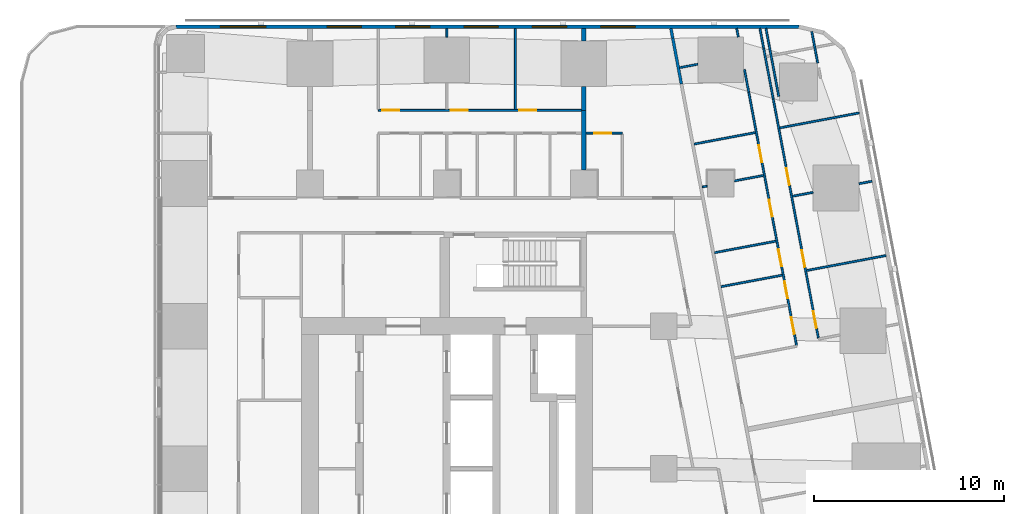
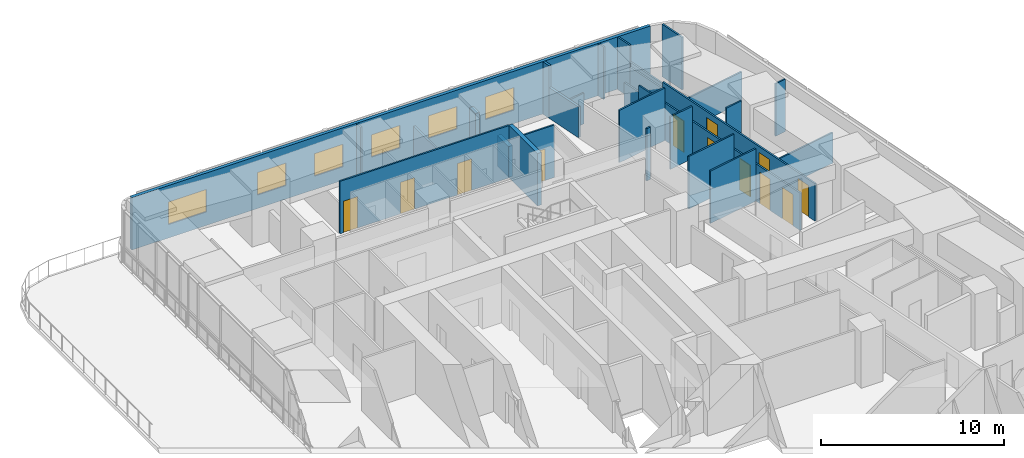
# One storey, part 13 of 17: 28 walls, 12 doors, 6 windows, 18 openings.
"""IFC4 building model written with IfcOpenShell, lengths in metres."""

from ifc_helpers import new_model, si_unit, direction, frame, frame_2d, origin, place, context, subcontext, project, spatial, rectangle, extrude, material, layer, layer_set, type_object, element, fill, save


model = new_model("IFC4")

# Units and contexts
model_context = context("Model", 3, precision=1e-05, world=origin(), true_north=direction((0.0, 1.0)))
body_context = subcontext(model_context, "Body", "Model", "MODEL_VIEW")
ifc_project = project(units=[si_unit("LENGTHUNIT", "METRE"), si_unit("AREAUNIT", "SQUARE_METRE"), si_unit("VOLUMEUNIT", "CUBIC_METRE"), si_unit("PLANEANGLEUNIT", "RADIAN"), si_unit("MASSUNIT", "GRAM", prefix="KILO")], contexts=[model_context])

# Site, building, storey
site_placement = place(None, origin())
site = spatial("IfcSite", under=ifc_project, at=site_placement, CompositionType="ELEMENT")
building_placement = place(site_placement, origin())
building = spatial("IfcBuilding", under=site, at=building_placement, Name="Sheger Commons Tower", CompositionType="ELEMENT")
storey_placement = place(building_placement, frame((0.0, 0.0, 193.699951171875)))
storey = spatial("IfcBuildingStorey", under=building, at=storey_placement, Name="L49", CompositionType="ELEMENT", Elevation=193.699951171875)

# Walls
ifc_material_1 = material(Name="Hollow concrete block masonry, skimmed both sides", Category="masonry")
ifc_layer_1 = layer(ifc_material_1, 0.14990234375)
ifc_layer_set_1 = layer_set([ifc_layer_1], Name="CORRIDOR WALL 150")
wall_type_1 = type_object("IfcWallType", Name="CORRIDOR WALL 150", PredefinedType="SOLIDWALL", material=ifc_layer_set_1)
wall_1_placement = place(storey_placement, frame((33.382080078125, 45.64990234375, 0.0), z_axis=(0.0, 0.0, 1.0), x_axis=(0.185657456326, -0.982614527122, 0.0)))
element("IfcWall", 1, at=wall_1_placement, inside=storey, type_object=wall_type_1, Name="Corridor wall L49", PredefinedType="SOLIDWALL", context=body_context, shape_type="SweptSolid", body=[
    extrude(rectangle(XDim=0.516845703125, YDim=0.14990234375, at=frame_2d((0.25830078125, 0.0))), origin(), (0.0, 0.0, 1.0), 3.5),
])
wall_2_placement = place(storey_placement, frame((33.47802734375, 45.14208984375, 0.0), z_axis=(0.0, 0.0, 1.0), x_axis=(0.185393362436, -0.982664388876, 0.0)))
element("IfcWall", 2, at=wall_2_placement, inside=storey, type_object=wall_type_1, Name="Corridor wall L49", PredefinedType="SOLIDWALL", context=body_context, shape_type="SweptSolid", body=[
    extrude(rectangle(XDim=2.45458984375, YDim=0.14990234375, at=frame_2d((1.227294921875, 0.0))), origin(), (0.0, 0.0, 1.0), 2.050048828125),
])
ifc_material_2 = material(Name="Dense concrete block masonry, plastered both sides (separating wall between flats)", Category="masonry")
ifc_layer_2 = layer(ifc_material_2, 0.25)
ifc_layer_set_2 = layer_set([ifc_layer_2], Name="DEMISING WALL 250")
wall_type_2 = type_object("IfcWallType", Name="DEMISING WALL 250", PredefinedType="SOLIDWALL", material=ifc_layer_set_2)
wall_3_placement = place(storey_placement, frame((28.800048828125, 41.35009765625, 0.0), z_axis=(0.0, 0.0, 1.0), x_axis=(0.0, 1.0, 0.0)))
element("IfcWall", 3, at=wall_3_placement, inside=storey, type_object=wall_type_2, Name="Demising wall L49", PredefinedType="SOLIDWALL", context=body_context, shape_type="SweptSolid", body=[
    extrude(rectangle(XDim=1.2490234375, YDim=0.25, at=frame_2d((0.62451171875, 0.0))), origin(), (0.0, 0.0, 1.0), 2.050048828125),
])
wall_4_placement = place(storey_placement, frame((28.800048828125, 45.0009765625, 0.0), z_axis=(0.0, 0.0, 1.0), x_axis=(0.0, 1.0, 0.0)))
element("IfcWall", 4, at=wall_4_placement, inside=storey, type_object=wall_type_2, Name="Demising wall L49", PredefinedType="SOLIDWALL", context=body_context, shape_type="SweptSolid", body=[
    extrude(rectangle(XDim=0.64892578125, YDim=0.25, at=frame_2d((0.324462890625, 0.0))), origin(), (0.0, 0.0, 1.0), 2.050048828125),
])
wall_5_placement = place(storey_placement, frame((28.800048828125, 38.200927734375, 0.0), z_axis=(0.0, 0.0, 1.0), x_axis=(0.0, 1.0, 0.0)))
element("IfcWall", 5, at=wall_5_placement, inside=storey, type_object=wall_type_2, Name="Demising wall L49", PredefinedType="SOLIDWALL", context=body_context, shape_type="SweptSolid", body=[
    extrude(rectangle(XDim=3.149169921875, YDim=0.25, at=frame_2d((1.57470703125, 0.0))), origin(), (0.0, 0.0, 1.0), 3.5),
])

# Wall, openings, windows
ifc_material_3 = material(Name="Rendered concrete block masonry, dark grey", Category="masonry")
ifc_layer_3 = layer(ifc_material_3, 0.199951171875)
ifc_layer_set_3 = layer_set([ifc_layer_3], Name="FACADE WALL 200")
wall_type_3 = type_object("IfcWallType", Name="FACADE WALL 200", PredefinedType="SOLIDWALL", material=ifc_layer_set_3)
wall_6_placement = place(storey_placement, frame((40.10595703125, 45.75, 0.0), z_axis=(0.0, 0.0, 1.0), x_axis=(-1.0, 0.0, 0.0)))
wall_6 = element("IfcWall", 6, at=wall_6_placement, inside=storey, type_object=wall_type_3, Name="Facade wall L49", PredefinedType="SOLIDWALL", context=body_context, shape_type="SweptSolid", body=[
    extrude(rectangle(XDim=32.742919921875, YDim=0.199951171875, at=frame_2d((16.37158203125, 0.0))), origin(), (0.0, 0.0, 1.0), 3.5),
])
opening_1_placement = place(wall_6_placement, frame((8.60595703125, 0.0, 0.89990234375)))
opening_1 = element("IfcOpeningElement", 7, at=opening_1_placement, cuts=wall_6, Name="Opening W2", PredefinedType="OPENING", context=body_context, shape_type="SweptSolid", body=[
    extrude(rectangle(XDim=1.800048828125, YDim=1.5, at=frame_2d((0.89990234375, 0.75))), frame((0.0, 0.10986328125, 0.0), z_axis=(0.0, -1.0, 0.0), x_axis=(1.0, 0.0, 0.0)), (0.0, 0.0, 1.0), 0.219970703125),
])
opening_2_placement = place(wall_6_placement, frame((12.2060546875, 0.0, 0.89990234375)))
opening_2 = element("IfcOpeningElement", 8, at=opening_2_placement, cuts=wall_6, Name="Opening W2", PredefinedType="OPENING", context=body_context, shape_type="SweptSolid", body=[
    extrude(rectangle(XDim=1.800048828125, YDim=1.5, at=frame_2d((0.89990234375, 0.75))), frame((0.0, 0.10986328125, 0.0), z_axis=(0.0, -1.0, 0.0), x_axis=(1.0, 0.0, 0.0)), (0.0, 0.0, 1.0), 0.219970703125),
])
opening_3_placement = place(wall_6_placement, frame((15.805908203125, 0.0, 0.89990234375)))
opening_3 = element("IfcOpeningElement", 9, at=opening_3_placement, cuts=wall_6, Name="Opening W2", PredefinedType="OPENING", context=body_context, shape_type="SweptSolid", body=[
    extrude(rectangle(XDim=1.800048828125, YDim=1.5, at=frame_2d((0.89990234375, 0.75))), frame((0.0, 0.10986328125, 0.0), z_axis=(0.0, -1.0, 0.0), x_axis=(1.0, 0.0, 0.0)), (0.0, 0.0, 1.0), 0.219970703125),
])
opening_4_placement = place(wall_6_placement, frame((19.406005859375, 0.0, 0.89990234375)))
opening_4 = element("IfcOpeningElement", 10, at=opening_4_placement, cuts=wall_6, Name="Opening W2", PredefinedType="OPENING", context=body_context, shape_type="SweptSolid", body=[
    extrude(rectangle(XDim=1.800048828125, YDim=1.5, at=frame_2d((0.89990234375, 0.75))), frame((0.0, 0.10986328125, 0.0), z_axis=(0.0, -1.0, 0.0), x_axis=(1.0, 0.0, 0.0)), (0.0, 0.0, 1.0), 0.219970703125),
])
opening_5_placement = place(wall_6_placement, frame((23.006103515625, 0.0, 0.89990234375)))
opening_5 = element("IfcOpeningElement", 11, at=opening_5_placement, cuts=wall_6, Name="Opening W2", PredefinedType="OPENING", context=body_context, shape_type="SweptSolid", body=[
    extrude(rectangle(XDim=1.800048828125, YDim=1.5, at=frame_2d((0.89990234375, 0.75))), frame((0.0, 0.10986328125, 0.0), z_axis=(0.0, -1.0, 0.0), x_axis=(1.0, 0.0, 0.0)), (0.0, 0.0, 1.0), 0.219970703125),
])
opening_6_placement = place(wall_6_placement, frame((28.02490234375, 0.0, 0.89990234375)))
opening_6 = element("IfcOpeningElement", 12, at=opening_6_placement, cuts=wall_6, Name="Opening W1", PredefinedType="OPENING", context=body_context, shape_type="SweptSolid", body=[
    extrude(rectangle(XDim=2.39990234375, YDim=1.5, at=frame_2d((1.199951171875, 0.75))), frame((0.0, 0.10986328125, 0.0), z_axis=(0.0, -1.0, 0.0), x_axis=(1.0, 0.0, 0.0)), (0.0, 0.0, 1.0), 0.219970703125),
])
ifc_material_4 = material(Name="Black aluminium frame, dark tinted double glazing", Category="aluminium")
window_type_1 = type_object("IfcWindowType", Name="WINDOW W1 2400x1500", PartitioningType="SINGLE_PANEL", PredefinedType="WINDOW", material=ifc_material_4)
window_1_placement = place(opening_6_placement, origin())
window_1 = element("IfcWindow", 13, at=window_1_placement, inside=storey, type_object=window_type_1, Name="Window W1 2400X1500", OverallHeight=1.5, OverallWidth=2.39990234375, PartitioningType="SINGLE_PANEL", PredefinedType="WINDOW", context=body_context, shape_type="SweptSolid", body=[
    extrude(rectangle(XDim=2.39990234375, YDim=1.5, at=frame_2d((1.199951171875, 0.75))), frame((0.0, 0.030029296875, 0.0), z_axis=(0.0, -1.0, 0.0), x_axis=(1.0, 0.0, 0.0)), (0.0, 0.0, 1.0), 0.06005859375),
])
fill(opening_6, window_1)
ifc_material_5 = material(Name="Black aluminium frame, dark tinted double glazing", Category="aluminium")
window_type_2 = type_object("IfcWindowType", Name="WINDOW W2 1800x1500", PartitioningType="SINGLE_PANEL", PredefinedType="WINDOW", material=ifc_material_5)
window_2_placement = place(opening_1_placement, origin())
window_2 = element("IfcWindow", 14, at=window_2_placement, inside=storey, type_object=window_type_2, Name="Window W2 1800X1500", OverallHeight=1.5, OverallWidth=1.800048828125, PartitioningType="SINGLE_PANEL", PredefinedType="WINDOW", context=body_context, shape_type="SweptSolid", body=[
    extrude(rectangle(XDim=1.800048828125, YDim=1.5, at=frame_2d((0.89990234375, 0.75))), frame((0.0, 0.030029296875, 0.0), z_axis=(0.0, -1.0, 0.0), x_axis=(1.0, 0.0, 0.0)), (0.0, 0.0, 1.0), 0.06005859375),
])
fill(opening_1, window_2)
window_3_placement = place(opening_2_placement, origin())
window_3 = element("IfcWindow", 15, at=window_3_placement, inside=storey, type_object=window_type_2, Name="Window W2 1800X1500", OverallHeight=1.5, OverallWidth=1.800048828125, PartitioningType="SINGLE_PANEL", PredefinedType="WINDOW", context=body_context, shape_type="SweptSolid", body=[
    extrude(rectangle(XDim=1.800048828125, YDim=1.5, at=frame_2d((0.89990234375, 0.75))), frame((0.0, 0.030029296875, 0.0), z_axis=(0.0, -1.0, 0.0), x_axis=(1.0, 0.0, 0.0)), (0.0, 0.0, 1.0), 0.06005859375),
])
fill(opening_2, window_3)
window_4_placement = place(opening_3_placement, origin())
window_4 = element("IfcWindow", 16, at=window_4_placement, inside=storey, type_object=window_type_2, Name="Window W2 1800X1500", OverallHeight=1.5, OverallWidth=1.800048828125, PartitioningType="SINGLE_PANEL", PredefinedType="WINDOW", context=body_context, shape_type="SweptSolid", body=[
    extrude(rectangle(XDim=1.800048828125, YDim=1.5, at=frame_2d((0.89990234375, 0.75))), frame((0.0, 0.030029296875, 0.0), z_axis=(0.0, -1.0, 0.0), x_axis=(1.0, 0.0, 0.0)), (0.0, 0.0, 1.0), 0.06005859375),
])
fill(opening_3, window_4)
window_5_placement = place(opening_4_placement, origin())
window_5 = element("IfcWindow", 17, at=window_5_placement, inside=storey, type_object=window_type_2, Name="Window W2 1800X1500", OverallHeight=1.5, OverallWidth=1.800048828125, PartitioningType="SINGLE_PANEL", PredefinedType="WINDOW", context=body_context, shape_type="SweptSolid", body=[
    extrude(rectangle(XDim=1.800048828125, YDim=1.5, at=frame_2d((0.89990234375, 0.75))), frame((0.0, 0.030029296875, 0.0), z_axis=(0.0, -1.0, 0.0), x_axis=(1.0, 0.0, 0.0)), (0.0, 0.0, 1.0), 0.06005859375),
])
fill(opening_4, window_5)
window_6_placement = place(opening_5_placement, origin())
window_6 = element("IfcWindow", 18, at=window_6_placement, inside=storey, type_object=window_type_2, Name="Window W2 1800X1500", OverallHeight=1.5, OverallWidth=1.800048828125, PartitioningType="SINGLE_PANEL", PredefinedType="WINDOW", context=body_context, shape_type="SweptSolid", body=[
    extrude(rectangle(XDim=1.800048828125, YDim=1.5, at=frame_2d((0.89990234375, 0.75))), frame((0.0, 0.030029296875, 0.0), z_axis=(0.0, -1.0, 0.0), x_axis=(1.0, 0.0, 0.0)), (0.0, 0.0, 1.0), 0.06005859375),
])
fill(opening_5, window_6)

# Walls
ifc_material_6 = material(Name="Gypsum board on steel studs", Category="steel")
ifc_layer_4 = layer(ifc_material_6, 0.10009765625)
ifc_layer_set_4 = layer_set([ifc_layer_4], Name="PARTITION 100")
wall_type_4 = type_object("IfcWallType", Name="PARTITION 100", PredefinedType="PARTITIONING", material=ifc_layer_set_4)
wall_7_placement = place(storey_placement, frame((39.053955078125, 42.0849609375, 0.0), z_axis=(0.0, 0.0, 1.0), x_axis=(-0.185791584218, 0.982589175207, 0.0)))
element("IfcWall", 19, at=wall_7_placement, inside=storey, type_object=wall_type_4, Name="Partition L49", PredefinedType="PARTITIONING", context=body_context, shape_type="SweptSolid", body=[
    extrude(rectangle(XDim=3.628173828125, YDim=0.10009765625, at=frame_2d((1.81396484375, 0.0))), origin(), (0.0, 0.0, 1.0), 2.050048828125),
])
wall_8_placement = place(storey_placement, frame((40.7890625, 45.487060546875, 0.0), z_axis=(0.0, 0.0, 1.0), x_axis=(0.185572395193, -0.982630594955, 0.0)))
element("IfcWall", 20, at=wall_8_placement, inside=storey, type_object=wall_type_4, Name="Partition L49", PredefinedType="PARTITIONING", context=body_context, shape_type="SweptSolid", body=[
    extrude(rectangle(XDim=1.676025390625, YDim=0.10009765625, at=frame_2d((0.837890625, 0.0))), origin(), (0.0, 0.0, 1.0), 3.5),
])
wall_9_placement = place(storey_placement, frame((38.06298828125, 45.64990234375, 0.0), z_axis=(0.0, 0.0, 1.0), x_axis=(0.185677287841, -0.982610779902, 0.0)))
element("IfcWall", 21, at=wall_9_placement, inside=storey, type_object=wall_type_4, Name="Partition L49", PredefinedType="PARTITIONING", context=body_context, shape_type="SweptSolid", body=[
    extrude(rectangle(XDim=1.0400390625, YDim=0.10009765625, at=frame_2d((0.52001953125, 0.0))), origin(), (0.0, 0.0, 1.0), 3.5),
])
wall_10_placement = place(storey_placement, frame((38.256103515625, 44.6279296875, 0.0), z_axis=(0.0, 0.0, 1.0), x_axis=(0.185700639943, -0.982606366927, 0.0)))
element("IfcWall", 22, at=wall_10_placement, inside=storey, type_object=wall_type_4, Name="Partition L49", PredefinedType="PARTITIONING", context=body_context, shape_type="SweptSolid", body=[
    extrude(rectangle(XDim=2.734619140625, YDim=0.10009765625, at=frame_2d((1.3671875, 0.0))), origin(), (0.0, 0.0, 1.0), 2.050048828125),
])

# Wall, openings, doors
wall_11_placement = place(storey_placement, frame((38.763916015625, 41.94091796875, 0.0), z_axis=(0.0, 0.0, 1.0), x_axis=(0.185512176227, -0.982641965556, 0.0)))
wall_11 = element("IfcWall", 23, at=wall_11_placement, inside=storey, type_object=wall_type_4, Name="Partition L49", PredefinedType="PARTITIONING", context=body_context, shape_type="SweptSolid", body=[
    extrude(rectangle(XDim=12.791748046875, YDim=0.10009765625, at=frame_2d((6.39599609375, 0.0))), origin(), (0.0, 0.0, 1.0), 2.5),
])
opening_7_placement = place(wall_11_placement, frame((11.35009765625, 0.0, 0.0)))
opening_7 = element("IfcOpeningElement", 24, at=opening_7_placement, cuts=wall_11, Name="Opening D2", PredefinedType="OPENING", context=body_context, shape_type="SweptSolid", body=[
    extrude(rectangle(XDim=0.89990234375, YDim=2.10009765625, at=frame_2d((0.449951171875, 1.050048828125))), frame((0.0, 0.06005859375, 0.0), z_axis=(0.0, -1.0, 0.0), x_axis=(1.0, 0.0, 0.0)), (0.0, 0.0, 1.0), 0.1201171875),
])
opening_8_placement = place(wall_11_placement, frame((8.0849609375, 0.0, 0.0)))
opening_8 = element("IfcOpeningElement", 25, at=opening_8_placement, cuts=wall_11, Name="Opening D2", PredefinedType="OPENING", context=body_context, shape_type="SweptSolid", body=[
    extrude(rectangle(XDim=0.89990234375, YDim=2.10009765625, at=frame_2d((0.449951171875, 1.050048828125))), frame((0.0, 0.06005859375, 0.0), z_axis=(0.0, -1.0, 0.0), x_axis=(1.0, 0.0, 0.0)), (0.0, 0.0, 1.0), 0.1201171875),
])
opening_9_placement = place(wall_11_placement, frame((3.699951171875, 0.0, 0.0)))
opening_9 = element("IfcOpeningElement", 26, at=opening_9_placement, cuts=wall_11, Name="Opening D2", PredefinedType="OPENING", context=body_context, shape_type="SweptSolid", body=[
    extrude(rectangle(XDim=0.89990234375, YDim=2.10009765625, at=frame_2d((0.449951171875, 1.050048828125))), frame((0.0, 0.06005859375, 0.0), z_axis=(0.0, -1.0, 0.0), x_axis=(1.0, 0.0, 0.0)), (0.0, 0.0, 1.0), 0.1201171875),
])
ifc_material_7 = material(Name="Timber door set", Category="wood")
door_type = type_object("IfcDoorType", Name="INTERNAL DOOR 900x2100", OperationType="NOTDEFINED", PredefinedType="DOOR", material=ifc_material_7)
door_1_placement = place(opening_7_placement, origin())
door_1 = element("IfcDoor", 27, at=door_1_placement, inside=storey, type_object=door_type, Name="Main bedroom door", OperationType="SINGLE_SWING_RIGHT", OverallHeight=2.10009765625, OverallWidth=0.89990234375, PredefinedType="DOOR", context=body_context, shape_type="SweptSolid", body=[
    extrude(rectangle(XDim=0.89990234375, YDim=2.10009765625, at=frame_2d((0.449951171875, 1.050048828125))), frame((0.0, 0.02490234375, 0.0), z_axis=(0.0, -1.0, 0.0), x_axis=(1.0, 0.0, 0.0)), (0.0, 0.0, 1.0), 0.050048828125),
])
fill(opening_7, door_1)
door_2_placement = place(opening_8_placement, origin())
door_2 = element("IfcDoor", 28, at=door_2_placement, inside=storey, type_object=door_type, Name="Bedroom 2 door", OperationType="SINGLE_SWING_RIGHT", OverallHeight=2.10009765625, OverallWidth=0.89990234375, PredefinedType="DOOR", context=body_context, shape_type="SweptSolid", body=[
    extrude(rectangle(XDim=0.89990234375, YDim=2.10009765625, at=frame_2d((0.449951171875, 1.050048828125))), frame((0.0, 0.02490234375, 0.0), z_axis=(0.0, -1.0, 0.0), x_axis=(1.0, 0.0, 0.0)), (0.0, 0.0, 1.0), 0.050048828125),
])
fill(opening_8, door_2)
door_3_placement = place(opening_9_placement, origin())
door_3 = element("IfcDoor", 29, at=door_3_placement, inside=storey, type_object=door_type, Name="Bedroom 3 door", OperationType="SINGLE_SWING_RIGHT", OverallHeight=2.10009765625, OverallWidth=0.89990234375, PredefinedType="DOOR", context=body_context, shape_type="SweptSolid", body=[
    extrude(rectangle(XDim=0.89990234375, YDim=2.10009765625, at=frame_2d((0.449951171875, 1.050048828125))), frame((0.0, 0.02490234375, 0.0), z_axis=(0.0, -1.0, 0.0), x_axis=(1.0, 0.0, 0.0)), (0.0, 0.0, 1.0), 0.050048828125),
])
fill(opening_9, door_3)

# Walls
wall_12_placement = place(storey_placement, frame((36.842041015625, 45.64990234375, 0.0), z_axis=(0.0, 0.0, 1.0), x_axis=(0.185407859198, -0.982661653748, 0.0)))
element("IfcWall", 30, at=wall_12_placement, inside=storey, type_object=wall_type_4, Name="Partition L49", PredefinedType="PARTITIONING", context=body_context, shape_type="SweptSolid", body=[
    extrude(rectangle(XDim=0.44775390625, YDim=0.10009765625, at=frame_2d((0.223876953125, 0.0))), origin(), (0.0, 0.0, 1.0), 3.5),
])
wall_13_placement = place(storey_placement, frame((37.2490234375, 43.492919921875, 0.0), z_axis=(0.0, 0.0, 1.0), x_axis=(0.185817643817, -0.982584247404, 0.0)))
element("IfcWall", 31, at=wall_13_placement, inside=storey, type_object=wall_type_4, Name="Partition L49", PredefinedType="PARTITIONING", context=body_context, shape_type="SweptSolid", body=[
    extrude(rectangle(XDim=1.204833984375, YDim=0.10009765625, at=frame_2d((0.6025390625, 0.0))), origin(), (0.0, 0.0, 1.0), 2.050048828125),
])

# Wall, openings, doors
wall_14_placement = place(storey_placement, frame((37.472900390625, 42.30908203125, 0.0), z_axis=(0.0, 0.0, 1.0), x_axis=(0.185570636839, -0.982630927024, 0.0)))
wall_14 = element("IfcWall", 32, at=wall_14_placement, inside=storey, type_object=wall_type_4, Name="Partition L49", PredefinedType="PARTITIONING", context=body_context, shape_type="SweptSolid", body=[
    extrude(rectangle(XDim=13.553466796875, YDim=0.10009765625, at=frame_2d((6.77685546875, 0.0))), origin(), (0.0, 0.0, 1.0), 2.5),
])
opening_10_placement = place(wall_14_placement, frame((12.049072265625, 0.0, 0.0)))
opening_10 = element("IfcOpeningElement", 33, at=opening_10_placement, cuts=wall_14, Name="Opening D2", PredefinedType="OPENING", context=body_context, shape_type="SweptSolid", body=[
    extrude(rectangle(XDim=0.89990234375, YDim=2.10009765625, at=frame_2d((0.449951171875, 1.050048828125))), frame((0.0, 0.06005859375, 0.0), z_axis=(0.0, -1.0, 0.0), x_axis=(1.0, 0.0, 0.0)), (0.0, 0.0, 1.0), 0.1201171875),
])
opening_11_placement = place(wall_14_placement, frame((8.427001953125, 0.0, 0.0)))
opening_11 = element("IfcOpeningElement", 34, at=opening_11_placement, cuts=wall_14, Name="Opening D2", PredefinedType="OPENING", context=body_context, shape_type="SweptSolid", body=[
    extrude(rectangle(XDim=0.89990234375, YDim=2.10009765625, at=frame_2d((0.449951171875, 1.050048828125))), frame((0.0, 0.06005859375, 0.0), z_axis=(0.0, -1.0, 0.0), x_axis=(1.0, 0.0, 0.0)), (0.0, 0.0, 1.0), 0.1201171875),
])
opening_12_placement = place(wall_14_placement, frame((2.85302734375, 0.0, 0.0)))
opening_12 = element("IfcOpeningElement", 35, at=opening_12_placement, cuts=wall_14, Name="Opening D2", PredefinedType="OPENING", context=body_context, shape_type="SweptSolid", body=[
    extrude(rectangle(XDim=0.89990234375, YDim=2.10009765625, at=frame_2d((0.449951171875, 1.050048828125))), frame((0.0, 0.06005859375, 0.0), z_axis=(0.0, -1.0, 0.0), x_axis=(1.0, 0.0, 0.0)), (0.0, 0.0, 1.0), 0.1201171875),
])
opening_13_placement = place(wall_14_placement, frame((10.139892578125, 0.0, 0.0)))
opening_13 = element("IfcOpeningElement", 36, at=opening_13_placement, cuts=wall_14, Name="Opening D2", PredefinedType="OPENING", context=body_context, shape_type="SweptSolid", body=[
    extrude(rectangle(XDim=0.89990234375, YDim=2.10009765625, at=frame_2d((0.449951171875, 1.050048828125))), frame((0.0, 0.06005859375, 0.0), z_axis=(0.0, -1.0, 0.0), x_axis=(1.0, 0.0, 0.0)), (0.0, 0.0, 1.0), 0.1201171875),
])
opening_14_placement = place(wall_14_placement, frame((5.759033203125, 0.0, 0.0)))
opening_14 = element("IfcOpeningElement", 37, at=opening_14_placement, cuts=wall_14, Name="Opening D2", PredefinedType="OPENING", context=body_context, shape_type="SweptSolid", body=[
    extrude(rectangle(XDim=0.89990234375, YDim=2.10009765625, at=frame_2d((0.449951171875, 1.050048828125))), frame((0.0, 0.06005859375, 0.0), z_axis=(0.0, -1.0, 0.0), x_axis=(1.0, 0.0, 0.0)), (0.0, 0.0, 1.0), 0.1201171875),
])
door_4_placement = place(opening_10_placement, origin())
door_4 = element("IfcDoor", 38, at=door_4_placement, inside=storey, type_object=door_type, Name="Bathroom door", OperationType="SINGLE_SWING_LEFT", OverallHeight=2.10009765625, OverallWidth=0.89990234375, PredefinedType="DOOR", context=body_context, shape_type="SweptSolid", body=[
    extrude(rectangle(XDim=0.89990234375, YDim=2.10009765625, at=frame_2d((0.449951171875, 1.050048828125))), frame((0.0, 0.02490234375, 0.0), z_axis=(0.0, -1.0, 0.0), x_axis=(1.0, 0.0, 0.0)), (0.0, 0.0, 1.0), 0.050048828125),
])
fill(opening_10, door_4)
door_5_placement = place(opening_11_placement, origin())
door_5 = element("IfcDoor", 39, at=door_5_placement, inside=storey, type_object=door_type, Name="Laundry room door", OperationType="SINGLE_SWING_RIGHT", OverallHeight=2.10009765625, OverallWidth=0.89990234375, PredefinedType="DOOR", context=body_context, shape_type="SweptSolid", body=[
    extrude(rectangle(XDim=0.89990234375, YDim=2.10009765625, at=frame_2d((0.449951171875, 1.050048828125))), frame((0.0, 0.02490234375, 0.0), z_axis=(0.0, -1.0, 0.0), x_axis=(1.0, 0.0, 0.0)), (0.0, 0.0, 1.0), 0.050048828125),
])
fill(opening_11, door_5)
door_6_placement = place(opening_12_placement, origin())
door_6 = element("IfcDoor", 40, at=door_6_placement, inside=storey, type_object=door_type, Name="Laundry room door", OperationType="SINGLE_SWING_RIGHT", OverallHeight=2.10009765625, OverallWidth=0.89990234375, PredefinedType="DOOR", context=body_context, shape_type="SweptSolid", body=[
    extrude(rectangle(XDim=0.89990234375, YDim=2.10009765625, at=frame_2d((0.449951171875, 1.050048828125))), frame((0.0, 0.02490234375, 0.0), z_axis=(0.0, -1.0, 0.0), x_axis=(1.0, 0.0, 0.0)), (0.0, 0.0, 1.0), 0.050048828125),
])
fill(opening_12, door_6)
door_7_placement = place(opening_13_placement, origin())
door_7 = element("IfcDoor", 41, at=door_7_placement, inside=storey, type_object=door_type, Name="Store door", OperationType="SINGLE_SWING_LEFT", OverallHeight=2.10009765625, OverallWidth=0.89990234375, PredefinedType="DOOR", context=body_context, shape_type="SweptSolid", body=[
    extrude(rectangle(XDim=0.89990234375, YDim=2.10009765625, at=frame_2d((0.449951171875, 1.050048828125))), frame((0.0, 0.02490234375, 0.0), z_axis=(0.0, -1.0, 0.0), x_axis=(1.0, 0.0, 0.0)), (0.0, 0.0, 1.0), 0.050048828125),
])
fill(opening_13, door_7)
door_8_placement = place(opening_14_placement, origin())
door_8 = element("IfcDoor", 42, at=door_8_placement, inside=storey, type_object=door_type, Name="Store door", OperationType="SINGLE_SWING_LEFT", OverallHeight=2.10009765625, OverallWidth=0.89990234375, PredefinedType="DOOR", context=body_context, shape_type="SweptSolid", body=[
    extrude(rectangle(XDim=0.89990234375, YDim=2.10009765625, at=frame_2d((0.449951171875, 1.050048828125))), frame((0.0, 0.02490234375, 0.0), z_axis=(0.0, -1.0, 0.0), x_axis=(1.0, 0.0, 0.0)), (0.0, 0.0, 1.0), 0.050048828125),
])
fill(opening_14, door_8)

# Walls
wall_15_placement = place(storey_placement, frame((43.277099609375, 41.2119140625, 0.0), z_axis=(0.0, 0.0, 1.0), x_axis=(-0.982665405803, -0.185387972203, 0.0)))
element("IfcWall", 43, at=wall_15_placement, inside=storey, type_object=wall_type_4, Name="Partition L49", PredefinedType="PARTITIONING", context=body_context, shape_type="SweptSolid", body=[
    extrude(rectangle(XDim=4.249755859375, YDim=0.10009765625, at=frame_2d((2.125, 0.0))), origin(), (0.0, 0.0, 1.0), 2.050048828125),
])
wall_16_placement = place(storey_placement, frame((43.955078125, 37.6201171875, 0.0), z_axis=(0.0, 0.0, 1.0), x_axis=(-0.982495415327, -0.186286765128, 0.0)))
element("IfcWall", 44, at=wall_16_placement, inside=storey, type_object=wall_type_4, Name="Partition L49", PredefinedType="PARTITIONING", context=body_context, shape_type="SweptSolid", body=[
    extrude(rectangle(XDim=0.693359375, YDim=0.10009765625, at=frame_2d((0.3466796875, 0.0))), origin(), (0.0, 0.0, 1.0), 3.5),
])
wall_17_placement = place(storey_placement, frame((40.85400390625, 37.033935546875, 0.0), z_axis=(0.0, 0.0, 1.0), x_axis=(-0.982651678759, -0.185460718839, 0.0)))
element("IfcWall", 45, at=wall_17_placement, inside=storey, type_object=wall_type_4, Name="Partition L49", PredefinedType="PARTITIONING", context=body_context, shape_type="SweptSolid", body=[
    extrude(rectangle(XDim=1.093994140625, YDim=0.10009765625, at=frame_2d((0.546875, 0.0))), origin(), (0.0, 0.0, 1.0), 3.5),
])
wall_18_placement = place(storey_placement, frame((44.693115234375, 33.712890625, 0.0), z_axis=(0.0, 0.0, 1.0), x_axis=(-0.982623519589, -0.185609856287, 0.0)))
element("IfcWall", 46, at=wall_18_placement, inside=storey, type_object=wall_type_4, Name="Partition L49", PredefinedType="PARTITIONING", context=body_context, shape_type="SweptSolid", body=[
    extrude(rectangle(XDim=4.249755859375, YDim=0.10009765625, at=frame_2d((2.125, 0.0))), origin(), (0.0, 0.0, 1.0), 2.050048828125),
])
wall_19_placement = place(storey_placement, frame((34.7900390625, 43.77197265625, 0.0), z_axis=(0.0, 0.0, 1.0), x_axis=(-0.982655532093, -0.185440301034, 0.0)))
element("IfcWall", 47, at=wall_19_placement, inside=storey, type_object=wall_type_4, Name="Partition L49", PredefinedType="PARTITIONING", context=body_context, shape_type="SweptSolid", body=[
    extrude(rectangle(XDim=0.959716796875, YDim=0.10009765625, at=frame_2d((0.47998046875, 0.0))), origin(), (0.0, 0.0, 1.0), 2.050048828125),
])
wall_20_placement = place(storey_placement, frame((37.823974609375, 40.181884765625, 0.0), z_axis=(0.0, 0.0, 1.0), x_axis=(-0.982674977865, -0.185337227447, 0.0)))
element("IfcWall", 48, at=wall_20_placement, inside=storey, type_object=wall_type_4, Name="Partition L49", PredefinedType="PARTITIONING", context=body_context, shape_type="SweptSolid", body=[
    extrude(rectangle(XDim=3.274658203125, YDim=0.10009765625, at=frame_2d((1.63720703125, 0.0))), origin(), (0.0, 0.0, 1.0), 3.5),
])
wall_21_placement = place(storey_placement, frame((38.25, 37.925048828125, 0.0), z_axis=(0.0, 0.0, 1.0), x_axis=(-0.982610209589, -0.185680305934, 0.0)))
element("IfcWall", 49, at=wall_21_placement, inside=storey, type_object=wall_type_4, Name="Partition L49", PredefinedType="PARTITIONING", context=body_context, shape_type="SweptSolid", body=[
    extrude(rectangle(XDim=1.5673828125, YDim=0.10009765625, at=frame_2d((0.78369140625, 0.0))), origin(), (0.0, 0.0, 1.0), 3.5),
])
wall_22_placement = place(storey_placement, frame((35.2900390625, 37.365966796875, 0.0), z_axis=(0.0, 0.0, 1.0), x_axis=(-0.982395465615, -0.18681313963, 0.0)))
element("IfcWall", 50, at=wall_22_placement, inside=storey, type_object=wall_type_4, Name="Partition L49", PredefinedType="PARTITIONING", context=body_context, shape_type="SweptSolid", body=[
    extrude(rectangle(XDim=0.2626953125, YDim=0.10009765625, at=frame_2d((0.13134765625, 0.0))), origin(), (0.0, 0.0, 1.0), 3.5),
])
wall_23_placement = place(storey_placement, frame((39.239990234375, 32.68310546875, 0.0), z_axis=(0.0, 0.0, 1.0), x_axis=(-0.982607026909, -0.185697147715, 0.0)))
element("IfcWall", 51, at=wall_23_placement, inside=storey, type_object=wall_type_4, Name="Partition L49", PredefinedType="PARTITIONING", context=body_context, shape_type="SweptSolid", body=[
    extrude(rectangle(XDim=3.27490234375, YDim=0.10009765625, at=frame_2d((1.637451171875, 0.0))), origin(), (0.0, 0.0, 1.0), 3.5),
])
wall_24_placement = place(storey_placement, frame((38.902099609375, 34.470947265625, 0.0), z_axis=(0.0, 0.0, 1.0), x_axis=(-0.982674977865, -0.185337227447, 0.0)))
element("IfcWall", 52, at=wall_24_placement, inside=storey, type_object=wall_type_4, Name="Partition L49", PredefinedType="PARTITIONING", context=body_context, shape_type="SweptSolid", body=[
    extrude(rectangle(XDim=3.274658203125, YDim=0.10009765625, at=frame_2d((1.63720703125, 0.0))), origin(), (0.0, 0.0, 1.0), 3.5),
])

# Wall, openings, doors
wall_25_placement = place(storey_placement, frame((18.0, 41.35009765625, 0.0), z_axis=(0.0, 0.0, 1.0), x_axis=(1.0, 0.0, 0.0)))
wall_25 = element("IfcWall", 53, at=wall_25_placement, inside=storey, type_object=wall_type_4, Name="Partition L49", PredefinedType="PARTITIONING", context=body_context, shape_type="SweptSolid", body=[
    extrude(rectangle(XDim=10.675048828125, YDim=0.10009765625, at=frame_2d((5.33740234375, 0.0))), origin(), (0.0, 0.0, 1.0), 3.5),
])
opening_15_placement = place(wall_25_placement, frame((0.199951171875, 0.0, 0.0)))
opening_15 = element("IfcOpeningElement", 54, at=opening_15_placement, cuts=wall_25, Name="Opening D2", PredefinedType="OPENING", context=body_context, shape_type="SweptSolid", body=[
    extrude(rectangle(XDim=0.89990234375, YDim=2.10009765625, at=frame_2d((0.449951171875, 1.050048828125))), frame((0.0, 0.06005859375, 0.0), z_axis=(0.0, -1.0, 0.0), x_axis=(1.0, 0.0, 0.0)), (0.0, 0.0, 1.0), 0.1201171875),
])
opening_16_placement = place(wall_25_placement, frame((3.800048828125, 0.0, 0.0)))
opening_16 = element("IfcOpeningElement", 55, at=opening_16_placement, cuts=wall_25, Name="Opening D2", PredefinedType="OPENING", context=body_context, shape_type="SweptSolid", body=[
    extrude(rectangle(XDim=0.89990234375, YDim=2.10009765625, at=frame_2d((0.449951171875, 1.050048828125))), frame((0.0, 0.06005859375, 0.0), z_axis=(0.0, -1.0, 0.0), x_axis=(1.0, 0.0, 0.0)), (0.0, 0.0, 1.0), 0.1201171875),
])
opening_17_placement = place(wall_25_placement, frame((7.39990234375, 0.0, 0.0)))
opening_17 = element("IfcOpeningElement", 56, at=opening_17_placement, cuts=wall_25, Name="Opening D2", PredefinedType="OPENING", context=body_context, shape_type="SweptSolid", body=[
    extrude(rectangle(XDim=0.89990234375, YDim=2.10009765625, at=frame_2d((0.449951171875, 1.050048828125))), frame((0.0, 0.06005859375, 0.0), z_axis=(0.0, -1.0, 0.0), x_axis=(1.0, 0.0, 0.0)), (0.0, 0.0, 1.0), 0.1201171875),
])
door_9_placement = place(opening_15_placement, origin())
door_9 = element("IfcDoor", 57, at=door_9_placement, inside=storey, type_object=door_type, Name="Main bedroom door", OperationType="SINGLE_SWING_LEFT", OverallHeight=2.10009765625, OverallWidth=0.89990234375, PredefinedType="DOOR", context=body_context, shape_type="SweptSolid", body=[
    extrude(rectangle(XDim=0.89990234375, YDim=2.10009765625, at=frame_2d((0.449951171875, 1.050048828125))), frame((0.0, 0.02490234375, 0.0), z_axis=(0.0, -1.0, 0.0), x_axis=(1.0, 0.0, 0.0)), (0.0, 0.0, 1.0), 0.050048828125),
])
fill(opening_15, door_9)
door_10_placement = place(opening_16_placement, origin())
door_10 = element("IfcDoor", 58, at=door_10_placement, inside=storey, type_object=door_type, Name="Bedroom 2 door", OperationType="SINGLE_SWING_LEFT", OverallHeight=2.10009765625, OverallWidth=0.89990234375, PredefinedType="DOOR", context=body_context, shape_type="SweptSolid", body=[
    extrude(rectangle(XDim=0.89990234375, YDim=2.10009765625, at=frame_2d((0.449951171875, 1.050048828125))), frame((0.0, 0.02490234375, 0.0), z_axis=(0.0, -1.0, 0.0), x_axis=(1.0, 0.0, 0.0)), (0.0, 0.0, 1.0), 0.050048828125),
])
fill(opening_16, door_10)
door_11_placement = place(opening_17_placement, origin())
door_11 = element("IfcDoor", 59, at=door_11_placement, inside=storey, type_object=door_type, Name="Bedroom 3 door", OperationType="SINGLE_SWING_LEFT", OverallHeight=2.10009765625, OverallWidth=0.89990234375, PredefinedType="DOOR", context=body_context, shape_type="SweptSolid", body=[
    extrude(rectangle(XDim=0.89990234375, YDim=2.10009765625, at=frame_2d((0.449951171875, 1.050048828125))), frame((0.0, 0.02490234375, 0.0), z_axis=(0.0, -1.0, 0.0), x_axis=(1.0, 0.0, 0.0)), (0.0, 0.0, 1.0), 0.050048828125),
])
fill(opening_17, door_11)

# Walls
wall_26_placement = place(storey_placement, frame((21.60009765625, 45.200927734375, 0.0), z_axis=(0.0, 0.0, 1.0), x_axis=(0.0, 1.0, 0.0)))
element("IfcWall", 60, at=wall_26_placement, inside=storey, type_object=wall_type_4, Name="Partition L49", PredefinedType="PARTITIONING", context=body_context, shape_type="SweptSolid", body=[
    extrude(rectangle(XDim=0.448974609375, YDim=0.10009765625, at=frame_2d((0.224609375, 0.0))), origin(), (0.0, 0.0, 1.0), 3.5),
])
wall_27_placement = place(storey_placement, frame((25.199951171875, 41.39990234375, 0.0), z_axis=(0.0, 0.0, 1.0), x_axis=(0.0, 1.0, 0.0)))
element("IfcWall", 61, at=wall_27_placement, inside=storey, type_object=wall_type_4, Name="Partition L49", PredefinedType="PARTITIONING", context=body_context, shape_type="SweptSolid", body=[
    extrude(rectangle(XDim=4.25, YDim=0.10009765625, at=frame_2d((2.125, 0.0))), origin(), (0.0, 0.0, 1.0), 2.050048828125),
])

# Wall, opening, door
wall_28_placement = place(storey_placement, frame((28.925048828125, 40.14990234375, 0.0), z_axis=(0.0, 0.0, 1.0), x_axis=(1.0, 0.0, 0.0)))
wall_28 = element("IfcWall", 62, at=wall_28_placement, inside=storey, type_object=wall_type_4, Name="Partition L49", PredefinedType="PARTITIONING", context=body_context, shape_type="SweptSolid", body=[
    extrude(rectangle(XDim=1.904052734375, YDim=0.10009765625, at=frame_2d((0.9521484375, 0.0))), origin(), (0.0, 0.0, 1.0), 3.5),
])
opening_18_placement = place(wall_28_placement, frame((0.425048828125, 0.0, 0.0)))
opening_18 = element("IfcOpeningElement", 63, at=opening_18_placement, cuts=wall_28, Name="Opening D2", PredefinedType="OPENING", context=body_context, shape_type="SweptSolid", body=[
    extrude(rectangle(XDim=0.89990234375, YDim=2.10009765625, at=frame_2d((0.449951171875, 1.050048828125))), frame((0.0, 0.06005859375, 0.0), z_axis=(0.0, -1.0, 0.0), x_axis=(1.0, 0.0, 0.0)), (0.0, 0.0, 1.0), 0.1201171875),
])
door_12_placement = place(opening_18_placement, origin())
door_12 = element("IfcDoor", 64, at=door_12_placement, inside=storey, type_object=door_type, Name="Shower room door", OperationType="SINGLE_SWING_RIGHT", OverallHeight=2.10009765625, OverallWidth=0.89990234375, PredefinedType="DOOR", context=body_context, shape_type="SweptSolid", body=[
    extrude(rectangle(XDim=0.89990234375, YDim=2.10009765625, at=frame_2d((0.449951171875, 1.050048828125))), frame((0.0, 0.02490234375, 0.0), z_axis=(0.0, -1.0, 0.0), x_axis=(1.0, 0.0, 0.0)), (0.0, 0.0, 1.0), 0.050048828125),
])
fill(opening_18, door_12)

save(model, "model.ifc")
